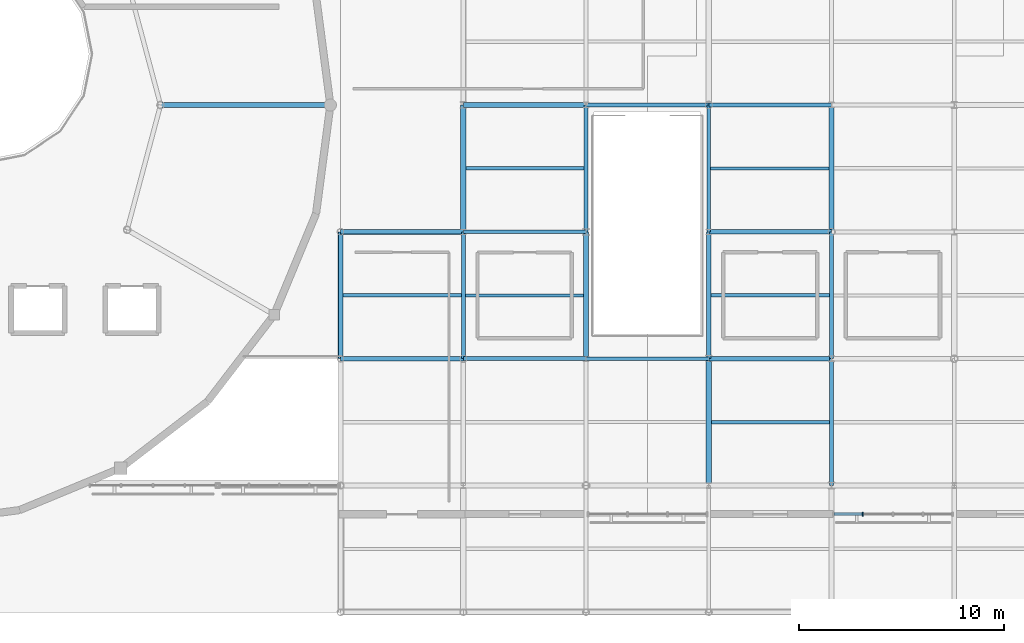
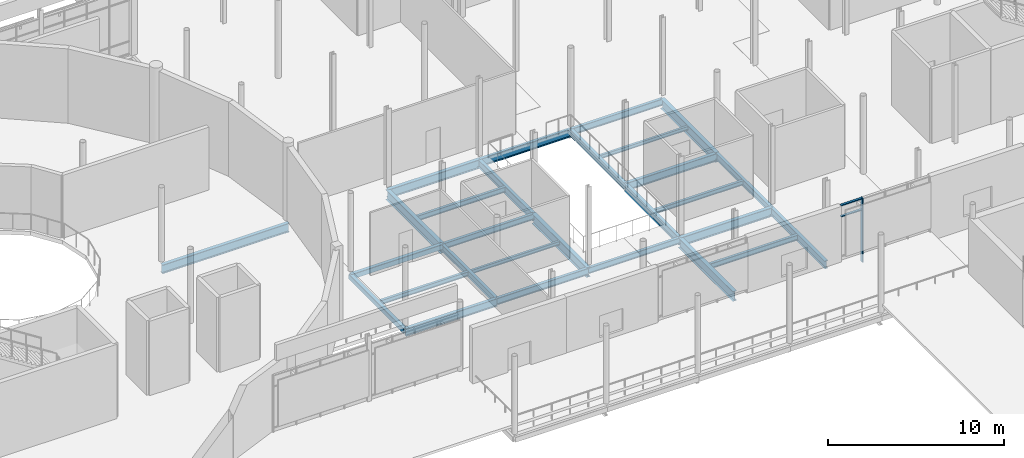
# One storey, part 32 of 105: 28 beams, 3 members, 1 element without a shape of its own.
"""IFC4 building model written with IfcOpenShell, lengths in metres."""

from ifc_helpers import new_model, si_unit, direction, frame, origin, origin_2d, place, context, subcontext, project, spatial, rectangle, hollow_rectangle, i_section, extrude, material, layer, layer_set, material_profile, profile_set, type_object, element, aggregate, save


model = new_model("IFC4")

# Units and contexts
model_context = context("Model", 3, precision=1e-05, world=origin(), true_north=direction((0.0, 1.0)))
body_context = subcontext(model_context, "Body", "Model", "MODEL_VIEW")
ifc_project = project(units=[si_unit("LENGTHUNIT", "METRE"), si_unit("AREAUNIT", "SQUARE_METRE"), si_unit("VOLUMEUNIT", "CUBIC_METRE"), si_unit("PLANEANGLEUNIT", "RADIAN"), si_unit("MASSUNIT", "GRAM", prefix="KILO")], contexts=[model_context])

# Site, building, storey
site_placement = place(None, origin())
site = spatial("IfcSite", under=ifc_project, at=site_placement, CompositionType="ELEMENT")
building_placement = place(site_placement, origin())
building = spatial("IfcBuilding", under=site, at=building_placement, Name="Mirzam Square Science Centre", CompositionType="ELEMENT")
storey_placement = place(building_placement, frame((0.0, 0.0, 5.39990234375)))
storey = spatial("IfcBuildingStorey", under=building, at=storey_placement, Name="L01", CompositionType="ELEMENT", Elevation=5.39990234375)

# Beams
ifc_material_1 = material(Name="Steel S355", Category="steel")
ifc_material_profile_1 = material_profile(ifc_material_1, i_section(OverallWidth=0.1787109375, OverallDepth=0.409423828125, WebThickness=0.0087890625, FlangeThickness=0.014404296875, FilletRadius=0.01025390625, at=origin_2d()), Name="406x178x67UB")
ifc_profile_set_1 = profile_set([ifc_material_profile_1], Name="Steel S355")
beam_type_1 = type_object("IfcBeamType", Name="BM-UB406", PredefinedType="BEAM", material=ifc_profile_set_1)
for number, where, z_axis, x_axis, name in (
    (1, (114.0, 49.60009765625, -0.45458984375), (1.0, 0.0, 0.0), (0.0, 1.0, 0.0), "L01 girder X20-9"),
    (2, (108.0, 55.800048828125, -0.45458984375), (1.0, 0.0, 0.0), (0.0, 1.0, 0.0), "L01 girder X19-10"),
):
    element("IfcBeam", number, at=place(storey_placement, frame(where, z_axis=z_axis, x_axis=x_axis)), inside=storey, type_object=beam_type_1, Name=name, PredefinedType="BEAM", context=body_context, shape_type="SweptSolid", body=[
        extrude(i_section(OverallWidth=0.1787109375, OverallDepth=0.409423828125, WebThickness=0.0087890625, FlangeThickness=0.014404296875, FilletRadius=0.01025390625, at=origin_2d()), origin(), (0.0, 0.0, 1.0), 6.0),
    ])
ifc_material_profile_2 = material_profile(ifc_material_1, i_section(OverallWidth=0.19140625, OverallDepth=0.4599609375, WebThickness=0.010009765625, FlangeThickness=0.01611328125, FilletRadius=0.01025390625, at=origin_2d()), Name="457x191x82UB")
ifc_profile_set_2 = profile_set([ifc_material_profile_2], Name="Steel S355")
beam_type_2 = type_object("IfcBeamType", Name="BM-UB457", PredefinedType="BEAM", material=ifc_profile_set_2)
for number, where, z_axis, x_axis, name in (
    (3, (108.0, 49.60009765625, -0.47998046875), (1.0, 0.0, 0.0), (0.0, 1.0, 0.0), "L01 girder X19-9"),
    (4, (120.0, 62.0, -0.47998046875), (1.0, 0.0, 0.0), (0.0, 1.0, 0.0), "L01 girder X21-11"),
):
    element("IfcBeam", number, at=place(storey_placement, frame(where, z_axis=z_axis, x_axis=x_axis)), inside=storey, type_object=beam_type_2, Name=name, PredefinedType="BEAM", context=body_context, shape_type="SweptSolid", body=[
        extrude(i_section(OverallWidth=0.19140625, OverallDepth=0.4599609375, WebThickness=0.010009765625, FlangeThickness=0.01611328125, FilletRadius=0.01025390625, at=origin_2d()), origin(), (0.0, 0.0, 1.0), 6.0),
    ])
for number, where, z_axis, x_axis, name in (
    (5, (108.0, 49.60009765625, -0.47998046875), (0.0, 1.0, 0.0), (-1.0, 0.0, 0.0), "L01 girder Y19-9"),
    (6, (120.0, 55.800048828125, -0.47998046875), (0.0, 1.0, 0.0), (-1.0, 0.0, 0.0), "L01 girder Y21-10"),
    (7, (126.0, 49.60009765625, -0.47998046875), (0.0, 1.0, 0.0), (-1.0, 0.0, 0.0), "L01 girder Y22-9"),
):
    element("IfcBeam", number, at=place(storey_placement, frame(where, z_axis=z_axis, x_axis=x_axis)), inside=storey, type_object=beam_type_2, Name=name, PredefinedType="BEAM", context=body_context, shape_type="SweptSolid", body=[
        extrude(i_section(OverallWidth=0.19140625, OverallDepth=0.4599609375, WebThickness=0.010009765625, FlangeThickness=0.01611328125, FilletRadius=0.01025390625, at=origin_2d()), origin(), (0.0, 0.0, 1.0), 6.199951171875),
    ])
ifc_material_profile_3 = material_profile(ifc_material_1, i_section(OverallWidth=0.2099609375, OverallDepth=0.53662109375, WebThickness=0.0107421875, FlangeThickness=0.017333984375, FilletRadius=0.0126953125, at=origin_2d()), Name="533x210x101UB")
ifc_profile_set_3 = profile_set([ifc_material_profile_3], Name="Steel S355")
beam_type_3 = type_object("IfcBeamType", Name="BM-UB533", PredefinedType="BEAM", material=ifc_profile_set_3)
for number, where, z_axis, x_axis, name in (
    (8, (102.0, 49.60009765625, -0.518310546875), (1.0, 0.0, 0.0), (0.0, 1.0, 0.0), "L01 girder X18-9"),
    (9, (120.0, 55.800048828125, -0.518310546875), (1.0, 0.0, 0.0), (0.0, 1.0, 0.0), "L01 girder X21-10"),
    (10, (114.0, 62.0, -0.518310546875), (1.0, 0.0, 0.0), (0.0, 1.0, 0.0), "L01 girder X20-11"),
):
    element("IfcBeam", number, at=place(storey_placement, frame(where, z_axis=z_axis, x_axis=x_axis)), inside=storey, type_object=beam_type_3, Name=name, PredefinedType="BEAM", context=body_context, shape_type="SweptSolid", body=[
        extrude(i_section(OverallWidth=0.2099609375, OverallDepth=0.53662109375, WebThickness=0.0107421875, FlangeThickness=0.017333984375, FilletRadius=0.0126953125, at=origin_2d()), origin(), (0.0, 0.0, 1.0), 6.0),
    ])
for number, where, z_axis, x_axis, name in (
    (11, (114.0, 55.800048828125, -0.518310546875), (0.0, 1.0, 0.0), (-1.0, 0.0, 0.0), "L01 girder Y20-10"),
    (12, (120.0, 49.60009765625, -0.518310546875), (0.0, 1.0, 0.0), (-1.0, 0.0, 0.0), "L01 girder Y21-9"),
):
    element("IfcBeam", number, at=place(storey_placement, frame(where, z_axis=z_axis, x_axis=x_axis)), inside=storey, type_object=beam_type_3, Name=name, PredefinedType="BEAM", context=body_context, shape_type="SweptSolid", body=[
        extrude(i_section(OverallWidth=0.2099609375, OverallDepth=0.53662109375, WebThickness=0.0107421875, FlangeThickness=0.017333984375, FilletRadius=0.0126953125, at=origin_2d()), origin(), (0.0, 0.0, 1.0), 6.199951171875),
    ])
beam_1_placement = place(storey_placement, frame((126.0, 43.39990234375, -0.518310546875), z_axis=(0.0, 1.0, 0.0), x_axis=(-1.0, 0.0, 0.0)))
element("IfcBeam", 13, at=beam_1_placement, inside=storey, type_object=beam_type_3, Name="L01 girder Y22-8", PredefinedType="BEAM", context=body_context, shape_type="SweptSolid", body=[
    extrude(i_section(OverallWidth=0.2099609375, OverallDepth=0.53662109375, WebThickness=0.0107421875, FlangeThickness=0.017333984375, FilletRadius=0.0126953125, at=origin_2d()), origin(), (0.0, 0.0, 1.0), 6.2001953125),
])
ifc_material_profile_4 = material_profile(ifc_material_1, i_section(OverallWidth=0.22900390625, OverallDepth=0.6123046875, WebThickness=0.011962890625, FlangeThickness=0.01953125, FilletRadius=0.0126953125, at=origin_2d()), Name="610x229x125UB")
ifc_profile_set_4 = profile_set([ifc_material_profile_4], Name="Steel S355")
beam_type_4 = type_object("IfcBeamType", Name="BM-UB610", PredefinedType="BEAM", material=ifc_profile_set_4)
beam_2_placement = place(storey_placement, frame((93.199951171875, 62.0, -0.5859375), z_axis=(1.0, 0.0, 0.0), x_axis=(0.0, 1.0, 0.0)))
element("IfcBeam", 14, at=beam_2_placement, inside=storey, type_object=beam_type_4, Name="L01 drum radial girder 01", PredefinedType="BEAM", context=body_context, shape_type="SweptSolid", body=[
    extrude(i_section(OverallWidth=0.22900390625, OverallDepth=0.6123046875, WebThickness=0.011962890625, FlangeThickness=0.01953125, FilletRadius=0.0126953125, at=origin_2d()), origin(), (0.0, 0.0, 1.0), 8.300048828125),
])
for number, where, z_axis, x_axis, name in (
    (15, (120.0, 49.60009765625, -0.555908203125), (1.0, 0.0, 0.0), (0.0, 1.0, 0.0), "L01 girder X21-9"),
    (16, (108.0, 62.0, -0.555908203125), (1.0, 0.0, 0.0), (0.0, 1.0, 0.0), "L01 girder X19-11"),
):
    element("IfcBeam", number, at=place(storey_placement, frame(where, z_axis=z_axis, x_axis=x_axis)), inside=storey, type_object=beam_type_4, Name=name, PredefinedType="BEAM", context=body_context, shape_type="SweptSolid", body=[
        extrude(i_section(OverallWidth=0.22900390625, OverallDepth=0.6123046875, WebThickness=0.011962890625, FlangeThickness=0.01953125, FilletRadius=0.0126953125, at=origin_2d()), origin(), (0.0, 0.0, 1.0), 6.0),
    ])
ifc_material_profile_5 = material_profile(ifc_material_1, i_section(OverallWidth=0.25439453125, OverallDepth=0.6875, WebThickness=0.01318359375, FlangeThickness=0.02099609375, FilletRadius=0.01513671875, at=origin_2d()), Name="686x254x152UB")
ifc_profile_set_5 = profile_set([ifc_material_profile_5], Name="Steel S355")
beam_type_5 = type_object("IfcBeamType", Name="BM-UB686", PredefinedType="BEAM", material=ifc_profile_set_5)
for number, where, z_axis, x_axis, name in (
    (17, (108.0, 55.800048828125, -0.593505859375), (0.0, 1.0, 0.0), (-1.0, 0.0, 0.0), "L01 girder Y19-10"),
    (18, (114.0, 49.60009765625, -0.593505859375), (0.0, 1.0, 0.0), (-1.0, 0.0, 0.0), "L01 girder Y20-9"),
):
    element("IfcBeam", number, at=place(storey_placement, frame(where, z_axis=z_axis, x_axis=x_axis)), inside=storey, type_object=beam_type_5, Name=name, PredefinedType="BEAM", context=body_context, shape_type="SweptSolid", body=[
        extrude(i_section(OverallWidth=0.25439453125, OverallDepth=0.6875, WebThickness=0.01318359375, FlangeThickness=0.02099609375, FilletRadius=0.01513671875, at=origin_2d()), origin(), (0.0, 0.0, 1.0), 6.199951171875),
    ])
beam_3_placement = place(storey_placement, frame((120.0, 43.39990234375, -0.593505859375), z_axis=(0.0, 1.0, 0.0), x_axis=(-1.0, 0.0, 0.0)))
element("IfcBeam", 19, at=beam_3_placement, inside=storey, type_object=beam_type_5, Name="L01 girder Y21-8", PredefinedType="BEAM", context=body_context, shape_type="SweptSolid", body=[
    extrude(i_section(OverallWidth=0.25439453125, OverallDepth=0.6875, WebThickness=0.01318359375, FlangeThickness=0.02099609375, FilletRadius=0.01513671875, at=origin_2d()), origin(), (0.0, 0.0, 1.0), 6.2001953125),
])
beam_4_placement = place(storey_placement, frame((126.0, 55.800048828125, -0.593505859375), z_axis=(0.0, 1.0, 0.0), x_axis=(-1.0, 0.0, 0.0)))
element("IfcBeam", 20, at=beam_4_placement, inside=storey, type_object=beam_type_5, Name="L01 girder Y22-10", PredefinedType="BEAM", context=body_context, shape_type="SweptSolid", body=[
    extrude(i_section(OverallWidth=0.25439453125, OverallDepth=0.6875, WebThickness=0.01318359375, FlangeThickness=0.02099609375, FilletRadius=0.01513671875, at=origin_2d()), origin(), (0.0, 0.0, 1.0), 6.199951171875),
])

# Curtain wall, members
ifc_material_2 = material(Name="Anodised Aluminium and Low-E Solar Glass", Category="aluminium")
ifc_layer = layer(ifc_material_2, 0.179931640625)
ifc_layer_set = layer_set([ifc_layer], Name="CW-LINK-A")
curtain_wall_type = type_object("IfcCurtainWallType", Name="CW-LINK-A", PredefinedType="USERDEFINED", material=ifc_layer_set)
curtain_wall_placement = place(storey_placement, origin())
curtain_wall = element("IfcCurtainWall", 21, at=curtain_wall_placement, inside=storey, type_object=curtain_wall_type, Name="L01 unitised curtain wall 82", ObjectType="UNITISED CURTAIN WALL", PredefinedType="USERDEFINED")
ifc_material_3 = material(Name="Anodised Architectural Aluminium 6063-T6", Category="aluminium")
ifc_material_profile_6 = material_profile(ifc_material_3, rectangle(XDim=0.06494140625, YDim=0.199951171875, at=origin_2d()), Name="ALU-MULL-200x65x5")
ifc_profile_set_6 = profile_set([ifc_material_profile_6], Name="Anodised Architectural Aluminium 6063-T6")
member_type_1 = type_object("IfcMemberType", Name="CWM-200", PredefinedType="MULLION", material=ifc_profile_set_6)
member_1_placement = place(storey_placement, frame((127.527587890625, 42.0, 0.0), z_axis=(0.0, 0.0, 1.0), x_axis=(1.0, 0.0, 0.0)))
member_1 = element("IfcMember", 22, at=member_1_placement, type_object=member_type_1, Name="CW-08 mullion 2", PredefinedType="MULLION", context=body_context, shape_type="SweptSolid", body=[
    extrude(rectangle(XDim=0.06494140625, YDim=0.199951171875, at=origin_2d()), origin(), (0.0, 0.0, 1.0), 4.440185546875),
])
ifc_material_profile_7 = material_profile(ifc_material_3, rectangle(XDim=0.14990234375, YDim=0.06494140625, at=origin_2d()), Name="ALU-TRAN-150x65x4")
ifc_profile_set_7 = profile_set([ifc_material_profile_7], Name="Anodised Architectural Aluminium 6063-T6")
member_type_2 = type_object("IfcMemberType", Name="CWT-150", PredefinedType="USERDEFINED", material=ifc_profile_set_7)
member_2_placement = place(storey_placement, frame((126.1201171875, 42.0, 3.64013671875), z_axis=(1.0, 0.0, 0.0), x_axis=(0.0, 1.0, 0.0)))
member_2 = element("IfcMember", 23, at=member_2_placement, type_object=member_type_2, Name="CW-08 transom 1.3", ObjectType="TRANSOM", PredefinedType="USERDEFINED", context=body_context, shape_type="SweptSolid", body=[
    extrude(rectangle(XDim=0.14990234375, YDim=0.06494140625, at=origin_2d()), origin(), (0.0, 0.0, 1.0), 1.375),
])
member_3_placement = place(storey_placement, frame((126.1201171875, 42.0, 4.40771484375), z_axis=(1.0, 0.0, 0.0), x_axis=(0.0, 1.0, 0.0)))
member_3 = element("IfcMember", 24, at=member_3_placement, type_object=member_type_2, Name="CW-08 transom 1.4", ObjectType="TRANSOM", PredefinedType="USERDEFINED", context=body_context, shape_type="SweptSolid", body=[
    extrude(rectangle(XDim=0.14990234375, YDim=0.06494140625, at=origin_2d()), origin(), (0.0, 0.0, 1.0), 1.375),
])
aggregate(curtain_wall, [member_1, member_2, member_3])

# Beams
ifc_material_profile_8 = material_profile(ifc_material_1, i_section(OverallWidth=0.146484375, OverallDepth=0.256103515625, WebThickness=0.00634765625, FlangeThickness=0.010986328125, FilletRadius=0.007568359375, at=origin_2d()), Name="254x146x37UB")
ifc_profile_set_8 = profile_set([ifc_material_profile_8], Name="Steel S355")
beam_type_6 = type_object("IfcBeamType", Name="JS-UB254", PredefinedType="JOIST", material=ifc_profile_set_8)
for number, where, z_axis, x_axis, name in (
    (25, (108.095703125, 52.699951171875, -0.3779296875), (1.0, 0.0, 0.0), (0.0, 1.0, 0.0), "L01 composite joist 19-9"),
    (26, (120.095703125, 58.89990234375, -0.3779296875), (1.0, 0.0, 0.0), (0.0, 1.0, 0.0), "L01 composite joist 21-10"),
):
    element("IfcBeam", number, at=place(storey_placement, frame(where, z_axis=z_axis, x_axis=x_axis)), inside=storey, type_object=beam_type_6, Name=name, PredefinedType="JOIST", context=body_context, shape_type="SweptSolid", body=[
        extrude(i_section(OverallWidth=0.146484375, OverallDepth=0.256103515625, WebThickness=0.00634765625, FlangeThickness=0.010986328125, FilletRadius=0.007568359375, at=origin_2d()), origin(), (0.0, 0.0, 1.0), 5.777099609375),
    ])
ifc_material_profile_9 = material_profile(ifc_material_1, i_section(OverallWidth=0.165771484375, OverallDepth=0.306640625, WebThickness=0.006591796875, FlangeThickness=0.01171875, FilletRadius=0.0087890625, at=origin_2d()), Name="305x165x46UB")
ifc_profile_set_9 = profile_set([ifc_material_profile_9], Name="Steel S355")
beam_type_7 = type_object("IfcBeamType", Name="JS-UB305", PredefinedType="JOIST", material=ifc_profile_set_9)
beam_5_placement = place(storey_placement, frame((102.125, 52.699951171875, -0.4033203125), z_axis=(1.0, 0.0, 0.0), x_axis=(0.0, 1.0, 0.0)))
element("IfcBeam", 27, at=beam_5_placement, inside=storey, type_object=beam_type_7, Name="L01 composite joist 18-9", PredefinedType="JOIST", context=body_context, shape_type="SweptSolid", body=[
    extrude(i_section(OverallWidth=0.165771484375, OverallDepth=0.306640625, WebThickness=0.006591796875, FlangeThickness=0.01171875, FilletRadius=0.0087890625, at=origin_2d()), origin(), (0.0, 0.0, 1.0), 5.779296875),
])
beam_6_placement = place(storey_placement, frame((120.10498046875, 52.699951171875, -0.4033203125), z_axis=(1.0, 0.0, 0.0), x_axis=(0.0, 1.0, 0.0)))
element("IfcBeam", 28, at=beam_6_placement, inside=storey, type_object=beam_type_7, Name="L01 composite joist 21-9", PredefinedType="JOIST", context=body_context, shape_type="SweptSolid", body=[
    extrude(i_section(OverallWidth=0.165771484375, OverallDepth=0.306640625, WebThickness=0.006591796875, FlangeThickness=0.01171875, FilletRadius=0.0087890625, at=origin_2d()), origin(), (0.0, 0.0, 1.0), 5.79931640625),
])
ifc_material_profile_10 = material_profile(ifc_material_1, i_section(OverallWidth=0.172119140625, OverallDepth=0.35791015625, WebThickness=0.008056640625, FlangeThickness=0.012939453125, FilletRadius=0.01025390625, at=origin_2d()), Name="356x171x57UB")
ifc_profile_set_10 = profile_set([ifc_material_profile_10], Name="Steel S355")
beam_type_8 = type_object("IfcBeamType", Name="JS-UB356", PredefinedType="JOIST", material=ifc_profile_set_10)
for number, where, z_axis, x_axis, name in (
    (29, (108.127197265625, 58.89990234375, -0.428955078125), (1.0, 0.0, 0.0), (0.0, 1.0, 0.0), "L01 composite joist 19-10"),
    (30, (120.127197265625, 46.5, -0.428955078125), (1.0, 0.0, 0.0), (0.0, 1.0, 0.0), "L01 composite joist 21-8"),
):
    element("IfcBeam", number, at=place(storey_placement, frame(where, z_axis=z_axis, x_axis=x_axis)), inside=storey, type_object=beam_type_8, Name=name, PredefinedType="JOIST", context=body_context, shape_type="SweptSolid", body=[
        extrude(i_section(OverallWidth=0.172119140625, OverallDepth=0.35791015625, WebThickness=0.008056640625, FlangeThickness=0.012939453125, FilletRadius=0.01025390625, at=origin_2d()), origin(), (0.0, 0.0, 1.0), 5.767822265625),
    ])
ifc_material_profile_11 = material_profile(ifc_material_1, hollow_rectangle(XDim=0.25, YDim=0.35009765625, WallThickness=0.012451171875, InnerFilletRadius=0.012451171875, OuterFilletRadius=0.02490234375, at=origin_2d()), Name="350x250x12.5RHS")
ifc_profile_set_11 = profile_set([ifc_material_profile_11], Name="Steel S355")
beam_type_9 = type_object("IfcBeamType", Name="SP-RHS350", PredefinedType="SPANDREL", material=ifc_profile_set_11)
beam_7_placement = place(storey_placement, frame((102.0, 55.800048828125, -0.4248046875), z_axis=(1.0, 0.0, 0.0), x_axis=(0.0, 1.0, 0.0)))
element("IfcBeam", 31, at=beam_7_placement, inside=storey, type_object=beam_type_9, Name="L01 girder X18-10", PredefinedType="SPANDREL", context=body_context, shape_type="SweptSolid", body=[
    extrude(hollow_rectangle(XDim=0.25, YDim=0.35009765625, WallThickness=0.012451171875, InnerFilletRadius=0.012451171875, OuterFilletRadius=0.02490234375, at=origin_2d()), origin(), (0.0, 0.0, 1.0), 6.0),
])
beam_8_placement = place(storey_placement, frame((102.0, 49.60009765625, -0.434814453125), z_axis=(0.0, 1.0, 0.0), x_axis=(-1.0, 0.0, 0.0)))
element("IfcBeam", 32, at=beam_8_placement, inside=storey, type_object=beam_type_9, Name="L01 girder Y18-9", PredefinedType="SPANDREL", context=body_context, shape_type="SweptSolid", body=[
    extrude(hollow_rectangle(XDim=0.25, YDim=0.35009765625, WallThickness=0.012451171875, InnerFilletRadius=0.012451171875, OuterFilletRadius=0.02490234375, at=origin_2d()), origin(), (0.0, 0.0, 1.0), 6.199951171875),
])

save(model, "model.ifc")
